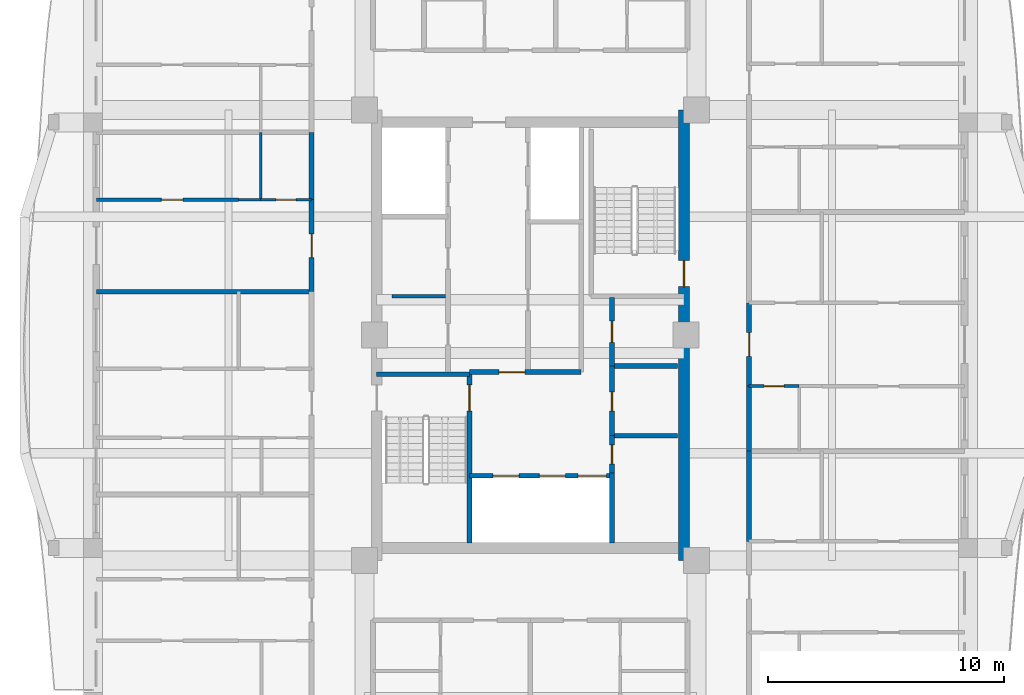
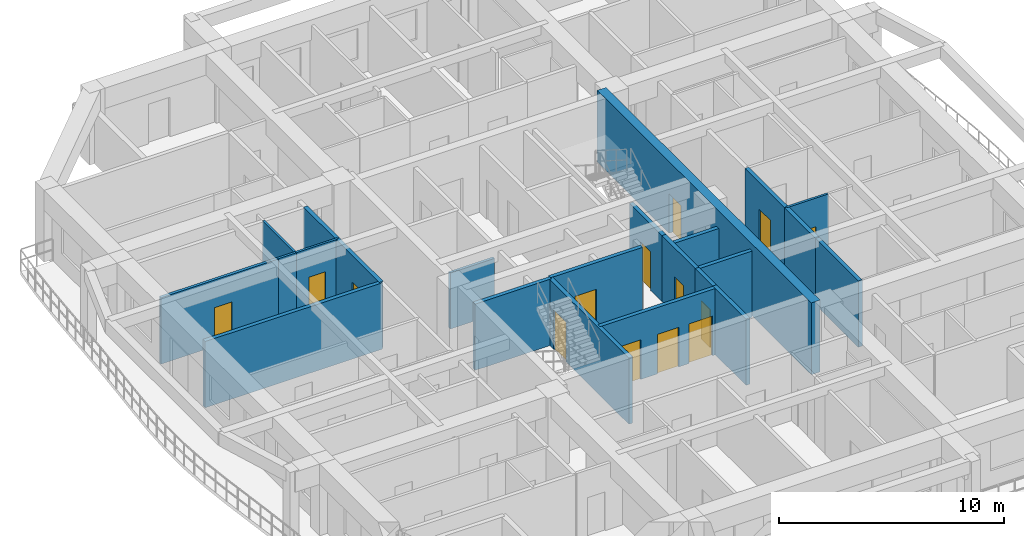
# One storey, part 4 of 14: 23 walls, 14 doors, 14 openings.
"""IFC4 building model written with IfcOpenShell, lengths in metres."""

from ifc_helpers import new_model, si_unit, direction, frame, frame_2d, origin, place, context, subcontext, project, spatial, rectangle, extrude, source, transform, mapped, material, layer, layer_set, type_object, element, fill, save


model = new_model("IFC4")

# Units and contexts
model_context = context("Model", 3, precision=1e-05, world=origin(), true_north=direction((0.0, 1.0)))
body_context = subcontext(model_context, "Body", "Model", "MODEL_VIEW")
ifc_project = project(units=[si_unit("LENGTHUNIT", "METRE"), si_unit("AREAUNIT", "SQUARE_METRE"), si_unit("VOLUMEUNIT", "CUBIC_METRE"), si_unit("PLANEANGLEUNIT", "RADIAN"), si_unit("MASSUNIT", "GRAM", prefix="KILO")], contexts=[model_context])

# Site, building, storey
site_placement = place(None, origin())
site = spatial("IfcSite", under=ifc_project, at=site_placement, CompositionType="ELEMENT")
building_placement = place(site_placement, origin())
building = spatial("IfcBuilding", under=site, at=building_placement, Name="Saelheon Loggia Tower", CompositionType="ELEMENT")
storey_placement = place(building_placement, frame((0.0, 0.0, 202.60009765625)))
storey = spatial("IfcBuildingStorey", under=building, at=storey_placement, Name="L63", CompositionType="ELEMENT", Elevation=202.60009765625)

# Wall, opening, door
ifc_material_1 = material(Name="Concrete C45/55", Category="concrete")
ifc_layer_1 = layer(ifc_material_1, 0.449951171875)
ifc_layer_set_1 = layer_set([ifc_layer_1], Name="Concrete C45/55")
wall_type_1 = type_object("IfcWallType", Name="Wall_CoreShear_450", PredefinedType="SHEAR", material=ifc_layer_set_1)
wall_1_placement = place(storey_placement, frame((44.5, 17.47998046875, 0.0), z_axis=(0.0, 0.0, 1.0), x_axis=(0.0, 1.0, 0.0)))
wall_1 = element("IfcWall", 1, at=wall_1_placement, inside=storey, type_object=wall_type_1, Name="L63 Core Shear Wall East", PredefinedType="SHEAR", context=body_context, shape_type="SweptSolid", body=[
    extrude(rectangle(XDim=19.0400390625, YDim=0.449951171875, at=frame_2d((9.52001953125, 0.0))), origin(), (0.0, 0.0, 1.0), 3.89990234375),
])
opening_1_placement = place(wall_1_placement, frame((12.670166015625, 0.0, 0.0), z_axis=(0.0, 0.0, 1.0), x_axis=(-1.0, 0.0, 0.0)))
opening_1 = element("IfcOpeningElement", 2, at=opening_1_placement, cuts=wall_1, Name="Opening D-FD2", PredefinedType="OPENING", context=body_context, shape_type="SweptSolid", body=[
    extrude(rectangle(XDim=1.10009765625, YDim=2.14990234375, at=frame_2d((0.550048828125, 1.074951171875))), frame((0.0, 0.237060546875, 0.0), z_axis=(0.0, -1.0, 0.0), x_axis=(1.0, 0.0, 0.0)), (0.0, 0.0, 1.0), 0.473876953125),
])
ifc_material_2 = material(Name="Galvanised Steel Fire Door", Category="steel")
door_type_1 = type_object("IfcDoorType", Name="Door_Fire_FD60_1100", OperationType="NOTDEFINED", PredefinedType="DOOR", material=ifc_material_2)
shared_shape_1 = source(origin(), body_context, "Body", "SweptSolid", [
    extrude(rectangle(XDim=1.10009765625, YDim=2.14990234375, at=frame_2d((0.550048828125, 1.074951171875))), frame((0.0, 0.02490234375, 0.0), z_axis=(0.0, -1.0, 0.0), x_axis=(1.0, 0.0, 0.0)), (0.0, 0.0, 1.0), 0.050048828125),
])
door_1_placement = place(opening_1_placement, origin())
door_1 = element("IfcDoor", 3, at=door_1_placement, inside=storey, type_object=door_type_1, Name="L63 Stair ST2 Corridor Door", OperationType="SINGLE_SWING_RIGHT", OverallHeight=2.14990234375, OverallWidth=1.10009765625, PredefinedType="DOOR", context=body_context, shape_type="MappedRepresentation", body=[
    mapped(shared_shape_1, transform((0.0, 0.0, 0.0), scale=1.0)),
])
fill(opening_1, door_1)

# Wall
ifc_material_3 = material(Name="Lightweight Autoclaved Aerated Concrete Block and Acoustic Gypsum", Category="concrete")
ifc_layer_2 = layer(ifc_material_3, 0.14990234375)
ifc_layer_set_2 = layer_set([ifc_layer_2], Name="Lightweight Autoclaved Aerated Concrete Block and Acoustic Gypsum")
wall_type_2 = type_object("IfcWallType", Name="Wall_Part_150", PredefinedType="PARTITIONING", material=ifc_layer_set_2)
wall_2_placement = place(storey_placement, frame((32.14990234375, 28.64990234375, 0.0), z_axis=(0.0, 0.0, 1.0), x_axis=(1.0, 0.0, 0.0)))
element("IfcWall", 4, at=wall_2_placement, inside=storey, type_object=wall_type_2, Name="L63 Freed Core Partition PL", PredefinedType="PARTITIONING", context=body_context, shape_type="SweptSolid", body=[
    extrude(rectangle(XDim=2.27001953125, YDim=0.14990234375, at=frame_2d((1.135009765625, 0.0))), origin(), (0.0, 0.0, 1.0), 3.039794921875),
])

# Wall, opening, door
wall_3_placement = place(storey_placement, frame((25.669921875, 32.729248046875, 0.0), z_axis=(0.0, 0.0, 1.0), x_axis=(-1.0, 0.0, 0.0)))
wall_3 = element("IfcWall", 5, at=wall_3_placement, inside=storey, type_object=wall_type_2, Name="L63 W Partition U30", PredefinedType="PARTITIONING", context=body_context, shape_type="SweptSolid", body=[
    extrude(rectangle(XDim=6.02001953125, YDim=0.14990234375, at=frame_2d((3.010009765625, 0.0))), origin(), (0.0, 0.0, 1.0), 3.599853515625),
])
opening_2_placement = place(wall_3_placement, frame((2.36669921875, 0.0, 0.0)))
opening_2 = element("IfcOpeningElement", 6, at=opening_2_placement, cuts=wall_3, Name="Opening D-IN2", PredefinedType="OPENING", context=body_context, shape_type="SweptSolid", body=[
    extrude(rectangle(XDim=0.89990234375, YDim=2.10009765625, at=frame_2d((0.449951171875, 1.050048828125))), frame((0.0, 0.0869140625, 0.0), z_axis=(0.0, -1.0, 0.0), x_axis=(1.0, 0.0, 0.0)), (0.0, 0.0, 1.0), 0.173828125),
])
ifc_material_4 = material(Name="Engineered Oak Flush Door", Category="timber")
door_type_2 = type_object("IfcDoorType", Name="Door_Int_900", OperationType="NOTDEFINED", PredefinedType="DOOR", material=ifc_material_4)
shared_shape_2 = source(origin(), body_context, "Body", "SweptSolid", [
    extrude(rectangle(XDim=0.89990234375, YDim=2.10009765625, at=frame_2d((0.449951171875, 1.050048828125))), frame((0.0, 0.02490234375, 0.0), z_axis=(0.0, -1.0, 0.0), x_axis=(1.0, 0.0, 0.0)), (0.0, 0.0, 1.0), 0.050048828125),
])
door_2_placement = place(opening_2_placement, origin())
door_2 = element("IfcDoor", 7, at=door_2_placement, inside=storey, type_object=door_type_2, Name="Unit U07 Kitchen Door", OperationType="SINGLE_SWING_LEFT", OverallHeight=2.10009765625, OverallWidth=0.89990234375, PredefinedType="DOOR", context=body_context, shape_type="MappedRepresentation", body=[
    mapped(shared_shape_2, transform((0.0, 0.0, 0.0), scale=1.0)),
])
fill(opening_2, door_2)

# Wall
ifc_material_5 = material(Name="Double Acoustic Stud and Fireboard Partition", Category="gypsum")
ifc_layer_3 = layer(ifc_material_5, 0.199951171875)
ifc_layer_set_3 = layer_set([ifc_layer_3], Name="Double Acoustic Stud and Fireboard Partition")
wall_type_3 = type_object("IfcWallType", Name="Wall_Party_200", PredefinedType="PARTITIONING", material=ifc_layer_set_3)
wall_4_placement = place(storey_placement, frame((28.75, 28.83837890625, 0.0), z_axis=(0.0, 0.0, 1.0), x_axis=(-1.0, 0.0, 0.0)))
element("IfcWall", 8, at=wall_4_placement, inside=storey, type_object=wall_type_3, Name="L63 W Partition U24", PredefinedType="PARTITIONING", context=body_context, shape_type="SweptSolid", body=[
    extrude(rectangle(XDim=9.10009765625, YDim=0.199951171875, at=frame_2d((4.550048828125, 0.0))), origin(), (0.0, 0.0, 1.0), 3.599853515625),
])

# Wall, opening, door
wall_5_placement = place(storey_placement, frame((28.75, 28.83837890625, 0.0), z_axis=(0.0, 0.0, 1.0), x_axis=(0.0, 1.0, 0.0)))
wall_5 = element("IfcWall", 9, at=wall_5_placement, inside=storey, type_object=wall_type_3, Name="L63 W Partition V25", PredefinedType="PARTITIONING", context=body_context, shape_type="SweptSolid", body=[
    extrude(rectangle(XDim=3.890869140625, YDim=0.199951171875, at=frame_2d((1.9453125, 0.0))), origin(), (0.0, 0.0, 1.0), 3.599853515625),
])
opening_3_placement = place(wall_5_placement, frame((1.4453125, 0.0, 0.0)))
opening_3 = element("IfcOpeningElement", 10, at=opening_3_placement, cuts=wall_5, Name="Opening D-FD1", PredefinedType="OPENING", context=body_context, shape_type="SweptSolid", body=[
    extrude(rectangle(XDim=1.0, YDim=2.14990234375, at=frame_2d((0.5, 1.074951171875))), frame((0.0, 0.112060546875, 0.0), z_axis=(0.0, -1.0, 0.0), x_axis=(1.0, 0.0, 0.0)), (0.0, 0.0, 1.0), 0.223876953125),
])
ifc_material_6 = material(Name="Fire-Rated Engineered Timber Entrance Door", Category="wood")
door_type_3 = type_object("IfcDoorType", Name="Door_Flat_FD30S", OperationType="NOTDEFINED", PredefinedType="DOOR", material=ifc_material_6)
shared_shape_3 = source(origin(), body_context, "Body", "SweptSolid", [
    extrude(rectangle(XDim=1.0, YDim=2.14990234375, at=frame_2d((0.5, 1.074951171875))), frame((0.0, 0.02490234375, 0.0), z_axis=(0.0, -1.0, 0.0), x_axis=(1.0, 0.0, 0.0)), (0.0, 0.0, 1.0), 0.050048828125),
])
door_3_placement = place(opening_3_placement, origin())
door_3 = element("IfcDoor", 11, at=door_3_placement, inside=storey, type_object=door_type_3, Name="Unit U07 Entrance Door", OperationType="SINGLE_SWING_LEFT", OverallHeight=2.14990234375, OverallWidth=1.0, PredefinedType="DOOR", context=body_context, shape_type="MappedRepresentation", body=[
    mapped(shared_shape_3, transform((0.0, 0.0, 0.0), scale=1.0)),
])
fill(opening_3, door_3)

# Walls
wall_6_placement = place(storey_placement, frame((28.75, 32.729248046875, 0.0), z_axis=(0.0, 0.0, 1.0), x_axis=(0.0, 1.0, 0.0)))
element("IfcWall", 12, at=wall_6_placement, inside=storey, type_object=wall_type_3, Name="L63 W Partition V26", PredefinedType="PARTITIONING", context=body_context, shape_type="SweptSolid", body=[
    extrude(rectangle(XDim=2.849853515625, YDim=0.199951171875, at=frame_2d((1.4248046875, 0.0))), origin(), (0.0, 0.0, 1.0), 3.599853515625),
])
wall_7_placement = place(storey_placement, frame((47.25, 18.280029296875, 0.0), z_axis=(0.0, 0.0, 1.0), x_axis=(0.0, 1.0, 0.0)))
element("IfcWall", 13, at=wall_7_placement, inside=storey, type_object=wall_type_3, Name="L63 E Partition V05", PredefinedType="PARTITIONING", context=body_context, shape_type="SweptSolid", body=[
    extrude(rectangle(XDim=3.817626953125, YDim=0.199951171875, at=frame_2d((1.90869140625, 0.0))), origin(), (0.0, 0.0, 1.0), 3.599853515625),
])
wall_8_placement = place(storey_placement, frame((47.25, 22.09765625, 0.0), z_axis=(0.0, 0.0, 1.0), x_axis=(0.0, 1.0, 0.0)))
element("IfcWall", 14, at=wall_8_placement, inside=storey, type_object=wall_type_3, Name="L63 E Partition V14", PredefinedType="PARTITIONING", context=body_context, shape_type="SweptSolid", body=[
    extrude(rectangle(XDim=2.75, YDim=0.199951171875, at=frame_2d((1.375, 0.0))), origin(), (0.0, 0.0, 1.0), 3.599853515625),
])

# Wall, opening, door
wall_9_placement = place(storey_placement, frame((47.25, 24.84765625, 0.0), z_axis=(0.0, 0.0, 1.0), x_axis=(0.0, 1.0, 0.0)))
wall_9 = element("IfcWall", 15, at=wall_9_placement, inside=storey, type_object=wall_type_3, Name="L63 E Partition V15", PredefinedType="PARTITIONING", context=body_context, shape_type="SweptSolid", body=[
    extrude(rectangle(XDim=3.518798828125, YDim=0.199951171875, at=frame_2d((1.75927734375, 0.0))), origin(), (0.0, 0.0, 1.0), 3.599853515625),
])
opening_4_placement = place(wall_9_placement, frame((1.259521484375, 0.0, 0.0)))
opening_4 = element("IfcOpeningElement", 16, at=opening_4_placement, cuts=wall_9, Name="Opening D-FD1", PredefinedType="OPENING", context=body_context, shape_type="SweptSolid", body=[
    extrude(rectangle(XDim=1.0, YDim=2.14990234375, at=frame_2d((0.5, 1.074951171875))), frame((0.0, 0.112060546875, 0.0), z_axis=(0.0, -1.0, 0.0), x_axis=(1.0, 0.0, 0.0)), (0.0, 0.0, 1.0), 0.223876953125),
])
door_4_placement = place(opening_4_placement, origin())
door_4 = element("IfcDoor", 17, at=door_4_placement, inside=storey, type_object=door_type_3, Name="Unit U10 Entrance Door", OperationType="SINGLE_SWING_RIGHT", OverallHeight=2.14990234375, OverallWidth=1.0, PredefinedType="DOOR", context=body_context, shape_type="MappedRepresentation", body=[
    mapped(shared_shape_3, transform((0.0, 0.0, 0.0), scale=1.0)),
])
fill(opening_4, door_4)

# Walls
ifc_material_7 = material(Name="Concrete C40/50", Category="concrete")
ifc_layer_4 = layer(ifc_material_7, 0.199951171875)
ifc_layer_set_4 = layer_set([ifc_layer_4], Name="Concrete C40/50")
wall_type_4 = type_object("IfcWallType", Name="Wall_Shaft_200", PredefinedType="PARTITIONING", material=ifc_layer_set_4)
wall_10_placement = place(storey_placement, frame((41.550048828125, 22.75, 0.0), z_axis=(0.0, 0.0, 1.0), x_axis=(1.0, 0.0, 0.0)))
element("IfcWall", 18, at=wall_10_placement, inside=storey, type_object=wall_type_4, Name="CW-BOH-L63-H1", PredefinedType="PARTITIONING", context=body_context, shape_type="SweptSolid", body=[
    extrude(rectangle(XDim=2.669921875, YDim=0.199951171875, at=frame_2d((1.3349609375, 0.0))), origin(), (0.0, 0.0, 1.0), 3.599853515625),
])
wall_11_placement = place(storey_placement, frame((41.550048828125, 25.699951171875, 0.0), z_axis=(0.0, 0.0, 1.0), x_axis=(1.0, 0.0, 0.0)))
element("IfcWall", 19, at=wall_11_placement, inside=storey, type_object=wall_type_4, Name="CW-BOH-L63-H2", PredefinedType="PARTITIONING", context=body_context, shape_type="SweptSolid", body=[
    extrude(rectangle(XDim=2.669921875, YDim=0.199951171875, at=frame_2d((1.3349609375, 0.0))), origin(), (0.0, 0.0, 1.0), 3.039794921875),
])
wall_12_placement = place(storey_placement, frame((41.449951171875, 18.219970703125, 0.0), z_axis=(0.0, 0.0, 1.0), x_axis=(0.0, 1.0, 0.0)))
element("IfcWall", 20, at=wall_12_placement, inside=storey, type_object=wall_type_4, Name="CW-INT-L63-BOH-W0", PredefinedType="PARTITIONING", context=body_context, shape_type="SweptSolid", body=[
    extrude(rectangle(XDim=2.9599609375, YDim=0.199951171875, at=frame_2d((1.47998046875, 0.0))), origin(), (0.0, 0.0, 1.0), 3.599853515625),
])

# Wall, opening, door
wall_13_placement = place(storey_placement, frame((41.449951171875, 21.179931640625, 0.0), z_axis=(0.0, 0.0, 1.0), x_axis=(0.0, 1.0, 0.0)))
wall_13 = element("IfcWall", 21, at=wall_13_placement, inside=storey, type_object=wall_type_4, Name="CW-INT-L63-BOH-W1", PredefinedType="PARTITIONING", context=body_context, shape_type="SweptSolid", body=[
    extrude(rectangle(XDim=1.570068359375, YDim=0.199951171875, at=frame_2d((0.78515625, 0.0))), origin(), (0.0, 0.0, 1.0), 3.599853515625),
])
opening_5_placement = place(wall_13_placement, frame((0.3798828125, 0.0, 0.0)))
opening_5 = element("IfcOpeningElement", 22, at=opening_5_placement, cuts=wall_13, Name="Opening D-ST1", PredefinedType="OPENING", context=body_context, shape_type="SweptSolid", body=[
    extrude(rectangle(XDim=0.800048828125, YDim=2.050048828125, at=frame_2d((0.39990234375, 1.02490234375))), frame((0.0, 0.112060546875, 0.0), z_axis=(0.0, -1.0, 0.0), x_axis=(1.0, 0.0, 0.0)), (0.0, 0.0, 1.0), 0.223876953125),
])
ifc_material_8 = material(Name="Powder-Coated Steel Store Door", Category="steel")
door_type_4 = type_object("IfcDoorType", Name="Door_Store_800", OperationType="NOTDEFINED", PredefinedType="DOOR", material=ifc_material_8)
shared_shape_4 = source(origin(), body_context, "Body", "SweptSolid", [
    extrude(rectangle(XDim=0.800048828125, YDim=2.050048828125, at=frame_2d((0.39990234375, 1.02490234375))), frame((0.0, 0.02490234375, 0.0), z_axis=(0.0, -1.0, 0.0), x_axis=(1.0, 0.0, 0.0)), (0.0, 0.0, 1.0), 0.050048828125),
])
door_5_placement = place(opening_5_placement, origin())
door_5 = element("IfcDoor", 23, at=door_5_placement, inside=storey, type_object=door_type_4, Name="L63 Cleaner Store Door", OperationType="SINGLE_SWING_RIGHT", OverallHeight=2.050048828125, OverallWidth=0.800048828125, PredefinedType="DOOR", context=body_context, shape_type="MappedRepresentation", body=[
    mapped(shared_shape_4, transform((0.0, 0.0, 0.0), scale=1.0)),
])
fill(opening_5, door_5)

wall_14_placement = place(storey_placement, frame((41.449951171875, 22.75, 0.0), z_axis=(0.0, 0.0, 1.0), x_axis=(0.0, 1.0, 0.0)))
wall_14 = element("IfcWall", 24, at=wall_14_placement, inside=storey, type_object=wall_type_4, Name="CW-INT-L63-BOH-W2", PredefinedType="PARTITIONING", context=body_context, shape_type="SweptSolid", body=[
    extrude(rectangle(XDim=2.949951171875, YDim=0.199951171875, at=frame_2d((1.47509765625, 0.0))), origin(), (0.0, 0.0, 1.0), 3.599853515625),
])
opening_6_placement = place(wall_14_placement, frame((1.050048828125, 0.0, 0.0)))
opening_6 = element("IfcOpeningElement", 25, at=opening_6_placement, cuts=wall_14, Name="Opening D-ST1", PredefinedType="OPENING", context=body_context, shape_type="SweptSolid", body=[
    extrude(rectangle(XDim=0.800048828125, YDim=2.050048828125, at=frame_2d((0.39990234375, 1.02490234375))), frame((0.0, 0.112060546875, 0.0), z_axis=(0.0, -1.0, 0.0), x_axis=(1.0, 0.0, 0.0)), (0.0, 0.0, 1.0), 0.223876953125),
])
door_6_placement = place(opening_6_placement, origin())
door_6 = element("IfcDoor", 26, at=door_6_placement, inside=storey, type_object=door_type_4, Name="L63 Electrical Riser Door", OperationType="SINGLE_SWING_LEFT", OverallHeight=2.050048828125, OverallWidth=0.800048828125, PredefinedType="DOOR", context=body_context, shape_type="MappedRepresentation", body=[
    mapped(shared_shape_4, transform((0.0, 0.0, 0.0), scale=1.0)),
])
fill(opening_6, door_6)

wall_15_placement = place(storey_placement, frame((41.449951171875, 25.699951171875, 0.0), z_axis=(0.0, 0.0, 1.0), x_axis=(0.0, 1.0, 0.0)))
wall_15 = element("IfcWall", 27, at=wall_15_placement, inside=storey, type_object=wall_type_4, Name="CW-INT-L63-BOH-W3", PredefinedType="PARTITIONING", context=body_context, shape_type="SweptSolid", body=[
    extrude(rectangle(XDim=2.900146484375, YDim=0.199951171875, at=frame_2d((1.4501953125, 0.0))), origin(), (0.0, 0.0, 1.0), 3.599853515625),
])
opening_7_placement = place(wall_15_placement, frame((1.0, 0.0, 0.0)))
opening_7 = element("IfcOpeningElement", 28, at=opening_7_placement, cuts=wall_15, Name="Opening D-RS1", PredefinedType="OPENING", context=body_context, shape_type="SweptSolid", body=[
    extrude(rectangle(XDim=0.89990234375, YDim=2.10009765625, at=frame_2d((0.449951171875, 1.050048828125))), frame((0.0, 0.112060546875, 0.0), z_axis=(0.0, -1.0, 0.0), x_axis=(1.0, 0.0, 0.0)), (0.0, 0.0, 1.0), 0.223876953125),
])
ifc_material_9 = material(Name="Galvanised Steel Riser Access Door", Category="steel")
door_type_5 = type_object("IfcDoorType", Name="Door_Riser_FD60", OperationType="NOTDEFINED", PredefinedType="DOOR", material=ifc_material_9)
door_7_placement = place(opening_7_placement, origin())
door_7 = element("IfcDoor", 29, at=door_7_placement, inside=storey, type_object=door_type_5, Name="L63 Floor IT Room Door", OperationType="SINGLE_SWING_RIGHT", OverallHeight=2.10009765625, OverallWidth=0.89990234375, PredefinedType="DOOR", context=body_context, shape_type="MappedRepresentation", body=[
    mapped(shared_shape_2, transform((0.0, 0.0, 0.0), scale=1.0)),
])
fill(opening_7, door_7)

# Wall, openings, doors
wall_16_placement = place(storey_placement, frame((35.429931640625, 21.06005859375, 0.0), z_axis=(0.0, 0.0, 1.0), x_axis=(1.0, 0.0, 0.0)))
wall_16 = element("IfcWall", 30, at=wall_16_placement, inside=storey, type_object=wall_type_4, Name="L63 Firefighting Lift Shaft Front Wall", PredefinedType="PARTITIONING", context=body_context, shape_type="SweptSolid", body=[
    extrude(rectangle(XDim=6.02001953125, YDim=0.199951171875, at=frame_2d((3.010009765625, 0.0))), origin(), (0.0, 0.0, 1.0), 3.599853515625),
])
opening_8_placement = place(wall_16_placement, frame((1.0, 0.0, 0.0)))
opening_8 = element("IfcOpeningElement", 31, at=opening_8_placement, cuts=wall_16, Name="Opening LD2", PredefinedType="OPENING", context=body_context, shape_type="SweptSolid", body=[
    extrude(rectangle(XDim=1.10009765625, YDim=2.14990234375, at=frame_2d((0.550048828125, 1.074951171875))), frame((0.0, 0.112060546875, 0.0), z_axis=(0.0, -1.0, 0.0), x_axis=(1.0, 0.0, 0.0)), (0.0, 0.0, 1.0), 0.223876953125),
])
opening_9_placement = place(wall_16_placement, frame((2.949951171875, 0.0, 0.0)))
opening_9 = element("IfcOpeningElement", 32, at=opening_9_placement, cuts=wall_16, Name="Opening LD2", PredefinedType="OPENING", context=body_context, shape_type="SweptSolid", body=[
    extrude(rectangle(XDim=1.10009765625, YDim=2.14990234375, at=frame_2d((0.550048828125, 1.074951171875))), frame((0.0, 0.112060546875, 0.0), z_axis=(0.0, -1.0, 0.0), x_axis=(1.0, 0.0, 0.0)), (0.0, 0.0, 1.0), 0.223876953125),
])
opening_10_placement = place(wall_16_placement, frame((4.580078125, 0.0, 0.0)))
opening_10 = element("IfcOpeningElement", 33, at=opening_10_placement, cuts=wall_16, Name="Opening LD3", PredefinedType="OPENING", context=body_context, shape_type="SweptSolid", body=[
    extrude(rectangle(XDim=1.199951171875, YDim=2.14990234375, at=frame_2d((0.60009765625, 1.074951171875))), frame((0.0, 0.112060546875, 0.0), z_axis=(0.0, -1.0, 0.0), x_axis=(1.0, 0.0, 0.0)), (0.0, 0.0, 1.0), 0.223876953125),
])
ifc_material_10 = material(Name="Firefighting Stainless Steel 316 Landing Door", Category="steel")
door_type_6 = type_object("IfcDoorType", Name="Door_Lift_LD2", OperationType="DOUBLE_DOOR_SLIDING", PredefinedType="DOOR", material=ifc_material_10)
door_8_placement = place(opening_8_placement, origin())
door_8 = element("IfcDoor", 34, at=door_8_placement, inside=storey, type_object=door_type_6, Name="L63 FF1 Landing Door", OperationType="DOUBLE_DOOR_SLIDING", OverallHeight=2.14990234375, OverallWidth=1.10009765625, PredefinedType="DOOR", context=body_context, shape_type="MappedRepresentation", body=[
    mapped(shared_shape_1, transform((0.0, 0.0, 0.0), scale=1.0)),
])
fill(opening_8, door_8)
door_9_placement = place(opening_9_placement, origin())
door_9 = element("IfcDoor", 35, at=door_9_placement, inside=storey, type_object=door_type_6, Name="L63 FF2 Landing Door", OperationType="DOUBLE_DOOR_SLIDING", OverallHeight=2.14990234375, OverallWidth=1.10009765625, PredefinedType="DOOR", context=body_context, shape_type="MappedRepresentation", body=[
    mapped(shared_shape_1, transform((0.0, 0.0, 0.0), scale=1.0)),
])
fill(opening_9, door_9)
ifc_material_11 = material(Name="Stretcher Lift Stainless Steel 304 Landing Door", Category="steel")
door_type_7 = type_object("IfcDoorType", Name="Door_Lift_LD3", OperationType="DOUBLE_DOOR_SLIDING", PredefinedType="DOOR", material=ifc_material_11)
shared_shape_5 = source(origin(), body_context, "Body", "SweptSolid", [
    extrude(rectangle(XDim=1.199951171875, YDim=2.14990234375, at=frame_2d((0.60009765625, 1.074951171875))), frame((0.0, 0.02490234375, 0.0), z_axis=(0.0, -1.0, 0.0), x_axis=(1.0, 0.0, 0.0)), (0.0, 0.0, 1.0), 0.050048828125),
])
door_10_placement = place(opening_10_placement, origin())
door_10 = element("IfcDoor", 36, at=door_10_placement, inside=storey, type_object=door_type_7, Name="L63 SV1 Landing Door", OperationType="DOUBLE_DOOR_SLIDING", OverallHeight=2.14990234375, OverallWidth=1.199951171875, PredefinedType="DOOR", context=body_context, shape_type="MappedRepresentation", body=[
    mapped(shared_shape_5, transform((0.0, 0.0, 0.0), scale=1.0)),
])
fill(opening_10, door_10)

# Wall, opening, door
wall_17_placement = place(storey_placement, frame((35.429931640625, 25.43994140625, 0.0), z_axis=(0.0, 0.0, 1.0), x_axis=(1.0, 0.0, 0.0)))
wall_17 = element("IfcWall", 37, at=wall_17_placement, inside=storey, type_object=wall_type_4, Name="L63 Firefighting Lobby Compartment Wall", PredefinedType="PARTITIONING", context=body_context, shape_type="SweptSolid", body=[
    extrude(rectangle(XDim=4.719970703125, YDim=0.199951171875, at=frame_2d((2.35986328125, 0.0))), origin(), (0.0, 0.0, 1.0), 3.599853515625),
])
opening_11_placement = place(wall_17_placement, frame((1.25, 0.0, 0.0)))
opening_11 = element("IfcOpeningElement", 38, at=opening_11_placement, cuts=wall_17, Name="Opening D-FD2", PredefinedType="OPENING", context=body_context, shape_type="SweptSolid", body=[
    extrude(rectangle(XDim=1.10009765625, YDim=2.14990234375, at=frame_2d((0.550048828125, 1.074951171875))), frame((0.0, 0.112060546875, 0.0), z_axis=(0.0, -1.0, 0.0), x_axis=(1.0, 0.0, 0.0)), (0.0, 0.0, 1.0), 0.223876953125),
])
door_11_placement = place(opening_11_placement, origin())
door_11 = element("IfcDoor", 39, at=door_11_placement, inside=storey, type_object=door_type_1, Name="L63 Firefighting Lobby Door", OperationType="SINGLE_SWING_LEFT", OverallHeight=2.14990234375, OverallWidth=1.10009765625, PredefinedType="DOOR", context=body_context, shape_type="MappedRepresentation", body=[
    mapped(shared_shape_1, transform((0.0, 0.0, 0.0), scale=1.0)),
])
fill(opening_11, door_11)

ifc_layer_5 = layer(ifc_material_1, 0.199951171875)
ifc_layer_set_5 = layer_set([ifc_layer_5], Name="Concrete C45/55")
wall_type_5 = type_object("IfcWallType", Name="Wall_StairShaft_RC200", PredefinedType="SOLIDWALL", material=ifc_layer_set_5)
wall_18_placement = place(storey_placement, frame((35.429931640625, 18.219970703125, 0.0), z_axis=(0.0, 0.0, 1.0), x_axis=(0.0, 1.0, 0.0)))
wall_18 = element("IfcWall", 40, at=wall_18_placement, inside=storey, type_object=wall_type_5, Name="L63 Stair ST1 Shaft Wall", PredefinedType="SOLIDWALL", context=body_context, shape_type="SweptSolid", body=[
    extrude(rectangle(XDim=7.219970703125, YDim=0.199951171875, at=frame_2d((3.60986328125, 0.0))), origin(), (0.0, 0.0, 1.0), 3.599853515625),
])
opening_12_placement = place(wall_18_placement, frame((6.68017578125, 0.0, 0.0), z_axis=(0.0, 0.0, 1.0), x_axis=(-1.0, 0.0, 0.0)))
opening_12 = element("IfcOpeningElement", 41, at=opening_12_placement, cuts=wall_18, Name="Opening D-FD2", PredefinedType="OPENING", context=body_context, shape_type="SweptSolid", body=[
    extrude(rectangle(XDim=1.10009765625, YDim=2.14990234375, at=frame_2d((0.550048828125, 1.074951171875))), frame((0.0, 0.112060546875, 0.0), z_axis=(0.0, -1.0, 0.0), x_axis=(1.0, 0.0, 0.0)), (0.0, 0.0, 1.0), 0.223876953125),
])
door_12_placement = place(opening_12_placement, origin())
door_12 = element("IfcDoor", 42, at=door_12_placement, inside=storey, type_object=door_type_1, Name="L63 Stair ST1 Lobby Door", OperationType="SINGLE_SWING_RIGHT", OverallHeight=2.14990234375, OverallWidth=1.10009765625, PredefinedType="DOOR", context=body_context, shape_type="MappedRepresentation", body=[
    mapped(shared_shape_1, transform((0.0, 0.0, 0.0), scale=1.0)),
])
fill(opening_12, door_12)

# Wall
wall_19_placement = place(storey_placement, frame((31.5, 25.35009765625, 0.0), z_axis=(0.0, 0.0, 1.0), x_axis=(1.0, 0.0, 0.0)))
element("IfcWall", 43, at=wall_19_placement, inside=storey, type_object=wall_type_5, Name="L63 Stair ST1 North Wall", PredefinedType="SOLIDWALL", context=body_context, shape_type="SweptSolid", body=[
    extrude(rectangle(XDim=3.929931640625, YDim=0.199951171875, at=frame_2d((1.96484375, 0.0))), origin(), (0.0, 0.0, 1.0), 3.599853515625),
])

# Wall, opening, door
ifc_material_12 = material(Name="Moisture-Resistant Cement Board Partition", Category="gypsum")
ifc_layer_6 = layer(ifc_material_12, 0.1201171875)
ifc_layer_set_6 = layer_set([ifc_layer_6], Name="Moisture-Resistant Cement Board Partition")
wall_type_6 = type_object("IfcWallType", Name="Wall_WetPart_120", PredefinedType="PARTITIONING", material=ifc_layer_set_6)
wall_20_placement = place(storey_placement, frame((28.75, 32.729248046875, 0.0), z_axis=(0.0, 0.0, 1.0), x_axis=(-1.0, 0.0, 0.0)))
wall_20 = element("IfcWall", 44, at=wall_20_placement, inside=storey, type_object=wall_type_6, Name="L63 W Partition U27", PredefinedType="PARTITIONING", context=body_context, shape_type="SweptSolid", body=[
    extrude(rectangle(XDim=2.14990234375, YDim=0.1201171875, at=frame_2d((1.074951171875, 0.0))), origin(), (0.0, 0.0, 1.0), 3.599853515625),
])
opening_13_placement = place(wall_20_placement, frame((0.64990234375, 0.0, 0.0)))
opening_13 = element("IfcOpeningElement", 45, at=opening_13_placement, cuts=wall_20, Name="Opening D-BT1", PredefinedType="OPENING", context=body_context, shape_type="SweptSolid", body=[
    extrude(rectangle(XDim=0.85009765625, YDim=2.050048828125, at=frame_2d((0.425048828125, 1.02490234375))), frame((0.0, 0.072021484375, 0.0), z_axis=(0.0, -1.0, 0.0), x_axis=(1.0, 0.0, 0.0)), (0.0, 0.0, 1.0), 0.14404296875),
])
ifc_material_13 = material(Name="Moisture-Resistant Laminate Timber Door", Category="wood")
door_type_8 = type_object("IfcDoorType", Name="Door_Bath_850", OperationType="NOTDEFINED", PredefinedType="DOOR", material=ifc_material_13)
shared_shape_6 = source(origin(), body_context, "Body", "SweptSolid", [
    extrude(rectangle(XDim=0.85009765625, YDim=2.050048828125, at=frame_2d((0.425048828125, 1.02490234375))), frame((0.0, 0.02490234375, 0.0), z_axis=(0.0, -1.0, 0.0), x_axis=(1.0, 0.0, 0.0)), (0.0, 0.0, 1.0), 0.050048828125),
])
door_13_placement = place(opening_13_placement, origin())
door_13 = element("IfcDoor", 46, at=door_13_placement, inside=storey, type_object=door_type_8, Name="Unit U07 Bathroom Door", OperationType="SINGLE_SWING_RIGHT", OverallHeight=2.050048828125, OverallWidth=0.85009765625, PredefinedType="DOOR", context=body_context, shape_type="MappedRepresentation", body=[
    mapped(shared_shape_6, transform((0.0, 0.0, 0.0), scale=1.0)),
])
fill(opening_13, door_13)

# Walls
wall_21_placement = place(storey_placement, frame((26.60009765625, 32.729248046875, 0.0), z_axis=(0.0, 0.0, 1.0), x_axis=(-1.0, 0.0, 0.0)))
element("IfcWall", 47, at=wall_21_placement, inside=storey, type_object=wall_type_6, Name="L63 W Partition U28", PredefinedType="PARTITIONING", context=body_context, shape_type="SweptSolid", body=[
    extrude(rectangle(XDim=0.93017578125, YDim=0.1201171875, at=frame_2d((0.465087890625, 0.0))), origin(), (0.0, 0.0, 1.0), 3.599853515625),
])
wall_22_placement = place(storey_placement, frame((26.60009765625, 32.729248046875, 0.0), z_axis=(0.0, 0.0, 1.0), x_axis=(0.0, 1.0, 0.0)))
element("IfcWall", 48, at=wall_22_placement, inside=storey, type_object=wall_type_6, Name="L63 W Partition V29", PredefinedType="PARTITIONING", context=body_context, shape_type="SweptSolid", body=[
    extrude(rectangle(XDim=2.849853515625, YDim=0.1201171875, at=frame_2d((1.4248046875, 0.0))), origin(), (0.0, 0.0, 1.0), 3.599853515625),
])

# Wall, opening, door
wall_23_placement = place(storey_placement, frame((47.25, 24.84765625, 0.0), z_axis=(0.0, 0.0, 1.0), x_axis=(1.0, 0.0, 0.0)))
wall_23 = element("IfcWall", 49, at=wall_23_placement, inside=storey, type_object=wall_type_6, Name="L63 E Partition U19", PredefinedType="PARTITIONING", context=body_context, shape_type="SweptSolid", body=[
    extrude(rectangle(XDim=2.1201171875, YDim=0.1201171875, at=frame_2d((1.06005859375, 0.0))), origin(), (0.0, 0.0, 1.0), 3.599853515625),
])
opening_14_placement = place(wall_23_placement, frame((0.635009765625, 0.0, 0.0)))
opening_14 = element("IfcOpeningElement", 50, at=opening_14_placement, cuts=wall_23, Name="Opening D-BT1", PredefinedType="OPENING", context=body_context, shape_type="SweptSolid", body=[
    extrude(rectangle(XDim=0.85009765625, YDim=2.050048828125, at=frame_2d((0.425048828125, 1.02490234375))), frame((0.0, 0.072021484375, 0.0), z_axis=(0.0, -1.0, 0.0), x_axis=(1.0, 0.0, 0.0)), (0.0, 0.0, 1.0), 0.14404296875),
])
door_14_placement = place(opening_14_placement, origin())
door_14 = element("IfcDoor", 51, at=door_14_placement, inside=storey, type_object=door_type_8, Name="Unit U10 Bathroom Door", OperationType="SINGLE_SWING_LEFT", OverallHeight=2.050048828125, OverallWidth=0.85009765625, PredefinedType="DOOR", context=body_context, shape_type="MappedRepresentation", body=[
    mapped(shared_shape_6, transform((0.0, 0.0, 0.0), scale=1.0)),
])
fill(opening_14, door_14)

save(model, "model.ifc")
